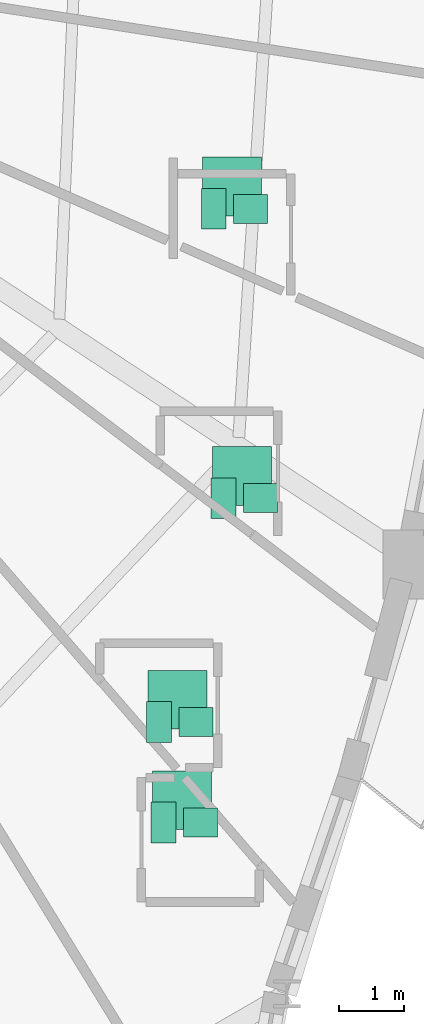
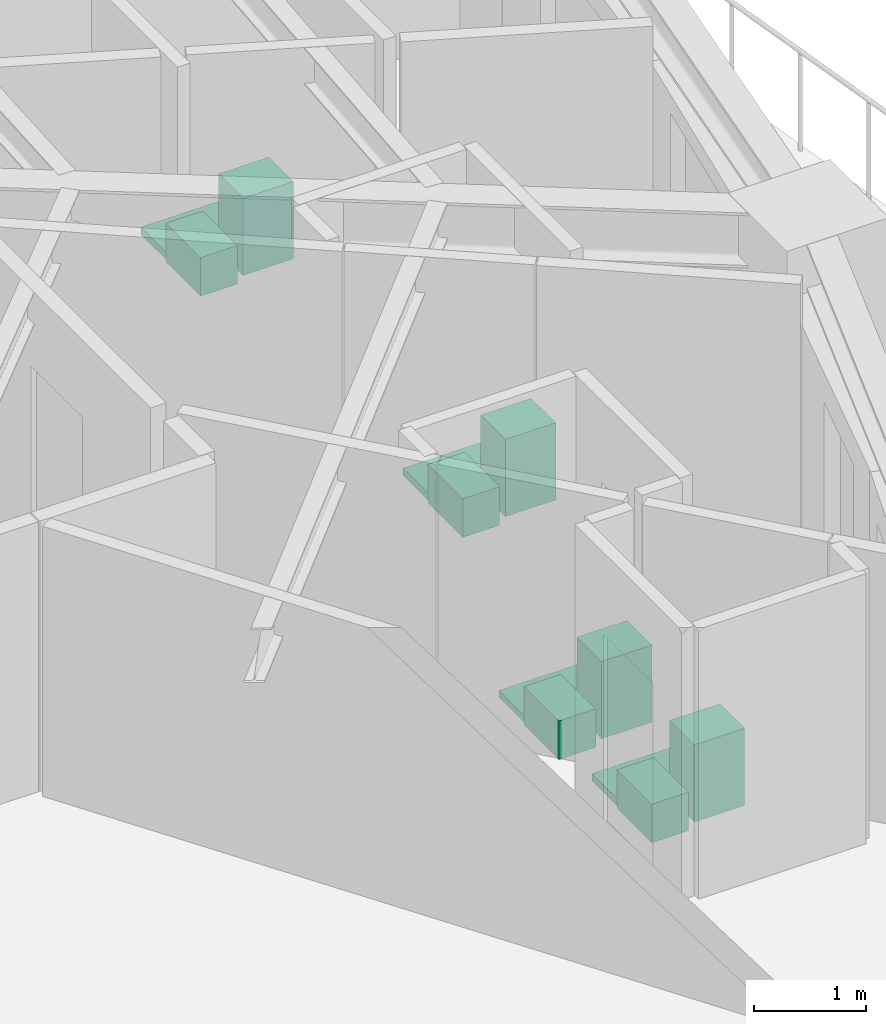
# One storey, part 13 of 13: 12 sanitary terminals.
"""IFC4 building model written with IfcOpenShell, lengths in metres."""

from ifc_helpers import new_model, si_unit, direction, frame, origin, origin_2d, place, context, subcontext, project, spatial, rectangle, extrude, source, transform, mapped, material, type_object, element, save


model = new_model("IFC4")

# Units and contexts
model_context = context("Model", 3, precision=1e-05, world=origin(), true_north=direction((0.0, 1.0)))
body_context = subcontext(model_context, "Body", "Model", "MODEL_VIEW")
ifc_project = project(units=[si_unit("LENGTHUNIT", "METRE"), si_unit("AREAUNIT", "SQUARE_METRE"), si_unit("VOLUMEUNIT", "CUBIC_METRE"), si_unit("PLANEANGLEUNIT", "RADIAN"), si_unit("MASSUNIT", "GRAM", prefix="KILO")], contexts=[model_context])

# Site, building, storey
site_placement = place(None, origin())
site = spatial("IfcSite", under=ifc_project, at=site_placement, CompositionType="ELEMENT")
building_placement = place(site_placement, origin())
building = spatial("IfcBuilding", under=site, at=building_placement, Name="Qafzar Sky-Pleat Residences", CompositionType="ELEMENT")
storey_placement = place(building_placement, frame((0.0, 0.0, 55.800048828125)))
storey = spatial("IfcBuildingStorey", under=building, at=storey_placement, Name="L16", CompositionType="ELEMENT", Elevation=55.800048828125)

# Sanitary terminals
ifc_material_1 = material(Name="Vitreous china sanitaryware")
sanitary_terminal_type_1 = type_object("IfcSanitaryTerminalType", Name="SAN-WC-PAN", PredefinedType="TOILETPAN", material=ifc_material_1)
shared_shape_1 = source(origin(), body_context, "Body", "SweptSolid", [
    extrude(rectangle(XDim=0.3798828125, YDim=0.6201171875, at=origin_2d()), origin(), (0.0, 0.0, 1.0), 0.419921875),
])
for number, where, z_axis, x_axis, name in (
    (1, (41.378662109375, 12.22705078125, 0.0), (0.0, 0.0, 1.0), (1.0, 0.0, 0.0), "L16 En-suite Bathroom 1 WC Pan"),
    (2, (41.309326171875, 13.76171875, 0.0), (0.0, 0.0, 1.0), (1.0, 0.0, 0.0), "L16 En-suite Bathroom 2 WC Pan"),
    (3, (42.294677734375, 17.181884765625, 0.0), (0.0, 0.0, 1.0), (1.0, 0.0, 0.0), "L16 En-suite Bathroom 3 WC Pan"),
    (4, (42.14306640625, 21.597900390625, 0.0), (0.0, 0.0, 1.0), (1.0, 0.0, 0.0), "L16 En-suite Bathroom 4 WC Pan"),
):
    element("IfcSanitaryTerminal", number, at=place(storey_placement, frame(where, z_axis=z_axis, x_axis=x_axis)), inside=storey, type_object=sanitary_terminal_type_1, Name=name, PredefinedType="TOILETPAN", context=body_context, shape_type="MappedRepresentation", body=[
        mapped(shared_shape_1, transform((0.0, 0.0, 0.0), x_axis=(1.0, 0.0, 0.0), y_axis=(0.0, 1.0, 0.0), z_axis=(0.0, 0.0, 1.0), scale=1.0)),
    ])
sanitary_terminal_type_2 = type_object("IfcSanitaryTerminalType", Name="SAN-BASIN", PredefinedType="WASHHANDBASIN", material=ifc_material_1)
shared_shape_2 = source(origin(), body_context, "Body", "SweptSolid", [
    extrude(rectangle(XDim=0.52001953125, YDim=0.43994140625, at=origin_2d()), origin(), (0.0, 0.0, 1.0), 0.840087890625),
])
for number, where, z_axis, x_axis, name in (
    (5, (41.938720703125, 12.22705078125, 0.0), (0.0, 0.0, 1.0), (1.0, 0.0, 0.0), "L16 En-suite Bathroom 1 Pedestal Washbasin"),
    (6, (41.869384765625, 13.76171875, 0.0), (0.0, 0.0, 1.0), (1.0, 0.0, 0.0), "L16 En-suite Bathroom 2 Pedestal Washbasin"),
    (7, (42.8544921875, 17.181884765625, 0.0), (0.0, 0.0, 1.0), (1.0, 0.0, 0.0), "L16 En-suite Bathroom 3 Pedestal Washbasin"),
    (8, (42.702880859375, 21.597900390625, 0.0), (0.0, 0.0, 1.0), (1.0, 0.0, 0.0), "L16 En-suite Bathroom 4 Pedestal Washbasin"),
):
    element("IfcSanitaryTerminal", number, at=place(storey_placement, frame(where, z_axis=z_axis, x_axis=x_axis)), inside=storey, type_object=sanitary_terminal_type_2, Name=name, PredefinedType="WASHHANDBASIN", context=body_context, shape_type="MappedRepresentation", body=[
        mapped(shared_shape_2, transform((0.0, 0.0, 0.0), x_axis=(1.0, 0.0, 0.0), y_axis=(0.0, 1.0, 0.0), z_axis=(0.0, 0.0, 1.0), scale=1.0)),
    ])
ifc_material_2 = material(Name="Vitreous china and acrylic tray")
sanitary_terminal_type_3 = type_object("IfcSanitaryTerminalType", Name="SAN-SHOWER", PredefinedType="SHOWER", material=ifc_material_2)
shared_shape_3 = source(origin(), body_context, "Body", "SweptSolid", [
    extrude(rectangle(XDim=0.89990234375, YDim=0.89990234375, at=origin_2d()), origin(), (0.0, 0.0, 1.0), 0.080078125),
])
for number, where, z_axis, x_axis, name in (
    (9, (41.65869140625, 12.567138671875, 0.0), (0.0, 0.0, 1.0), (1.0, 0.0, 0.0), "L16 En-suite Bathroom 1 Walk-In Shower"),
    (10, (41.58935546875, 14.101806640625, 0.0), (0.0, 0.0, 1.0), (1.0, 0.0, 0.0), "L16 En-suite Bathroom 2 Walk-In Shower"),
    (11, (42.57470703125, 17.521728515625, 0.0), (0.0, 0.0, 1.0), (1.0, 0.0, 0.0), "L16 En-suite Bathroom 3 Walk-In Shower"),
    (12, (42.423095703125, 21.93798828125, 0.0), (0.0, 0.0, 1.0), (1.0, 0.0, 0.0), "L16 En-suite Bathroom 4 Walk-In Shower"),
):
    element("IfcSanitaryTerminal", number, at=place(storey_placement, frame(where, z_axis=z_axis, x_axis=x_axis)), inside=storey, type_object=sanitary_terminal_type_3, Name=name, PredefinedType="SHOWER", context=body_context, shape_type="MappedRepresentation", body=[
        mapped(shared_shape_3, transform((0.0, 0.0, 0.0), x_axis=(1.0, 0.0, 0.0), y_axis=(0.0, 1.0, 0.0), z_axis=(0.0, 0.0, 1.0), scale=1.0)),
    ])

save(model, "model.ifc")
